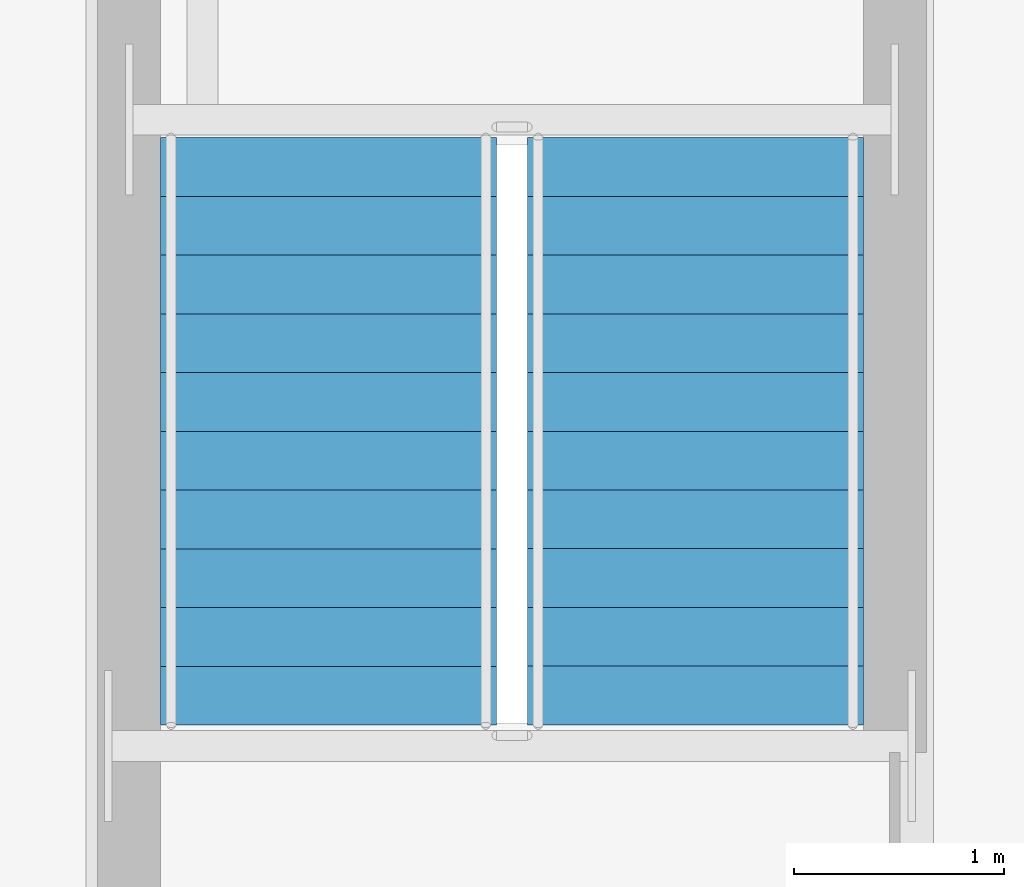
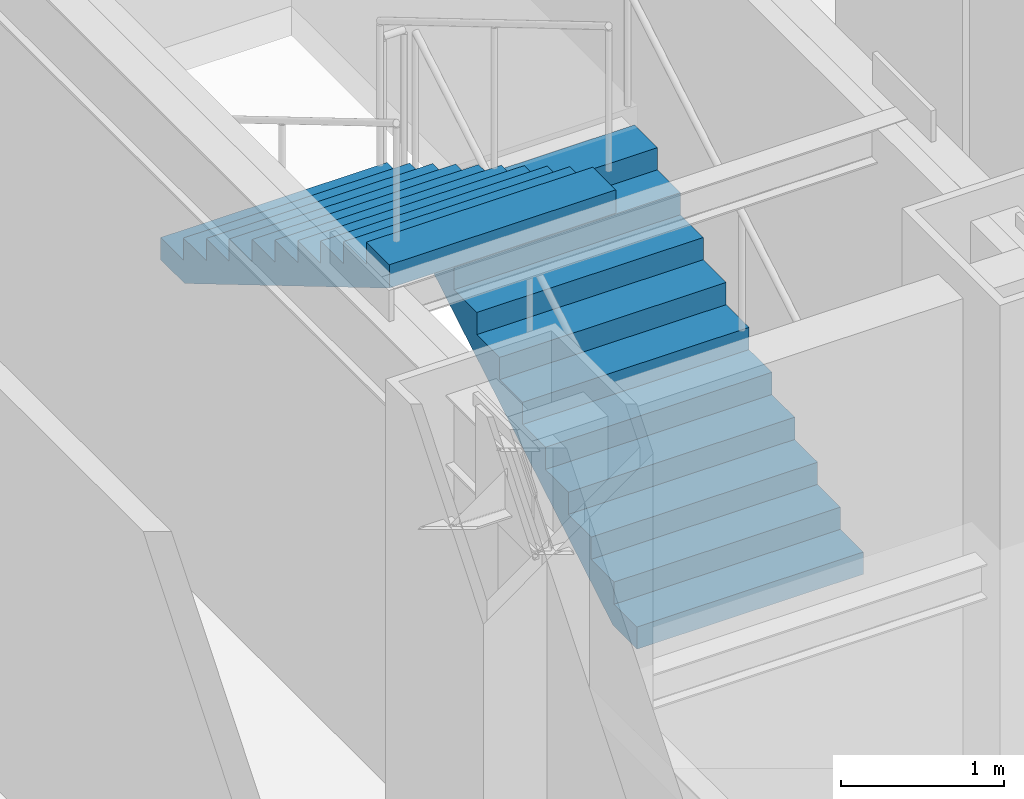
# One storey, part 11 of 12: 2 stair flights, 1 element without a shape of its own.
"""IFC4 building model written with IfcOpenShell, lengths in metres."""

from ifc_helpers import new_model, si_unit, direction, frame, origin, place, context, subcontext, project, spatial, polyline, outline, extrude, material, type_object, element, aggregate, save


model = new_model("IFC4")

# Units and contexts
model_context = context("Model", 3, precision=1e-05, world=origin(), true_north=direction((0.0, 1.0)))
body_context = subcontext(model_context, "Body", "Model", "MODEL_VIEW")
ifc_project = project(units=[si_unit("LENGTHUNIT", "METRE"), si_unit("AREAUNIT", "SQUARE_METRE"), si_unit("VOLUMEUNIT", "CUBIC_METRE"), si_unit("PLANEANGLEUNIT", "RADIAN"), si_unit("MASSUNIT", "GRAM", prefix="KILO")], contexts=[model_context])

# Site, building, storey
site_placement = place(None, origin())
site = spatial("IfcSite", under=ifc_project, at=site_placement, CompositionType="ELEMENT")
building_placement = place(site_placement, origin())
building = spatial("IfcBuilding", under=site, at=building_placement, Name="Khamvora Tower", CompositionType="ELEMENT")
storey_placement = place(building_placement, frame((0.0, 0.0, 138.39990234375)))
storey = spatial("IfcBuildingStorey", under=building, at=storey_placement, Name="L35", CompositionType="ELEMENT", Elevation=138.39990234375)

# Stair, stair flights
ifc_material = material(Name="Concrete C40/50", Category="concrete")
stair_type = type_object("IfcStairType", Name="STR-ST-02", PredefinedType="HALF_TURN_STAIR", material=ifc_material)
stair_placement = place(storey_placement, origin())
stair = element("IfcStair", 1, at=stair_placement, inside=storey, type_object=stair_type, Name="L35 North Tower Exit Stair ST-02", PredefinedType="HALF_TURN_STAIR")
stair_flight_type = type_object("IfcStairFlightType", Name="STF-ST-02", PredefinedType="STRAIGHT", material=ifc_material)
stair_flight_1_placement = place(storey_placement, frame((31.699951171875, 29.85009765625, 0.0), z_axis=(0.0, 0.0, 1.0), x_axis=(0.0, 1.0, 0.0)))
stair_flight_1 = element("IfcStairFlight", 2, at=stair_flight_1_placement, type_object=stair_flight_type, Name="ST-02 flight 1", NumberOfRisers=11, NumberOfTreads=10, PredefinedType="STRAIGHT", RiserHeight=0.165909091, TreadLength=0.28, context=body_context, shape_type="SweptSolid", body=[
    extrude(outline(polyline([(0.0, 0.0), (0.0, 0.166015625), (0.280029296875, 0.166015625), (0.280029296875, 0.331787109375), (0.56005859375, 0.331787109375), (0.56005859375, 0.497802734375), (0.840087890625, 0.497802734375), (0.840087890625, 0.66357421875), (1.1201171875, 0.66357421875), (1.1201171875, 0.82958984375), (1.39990234375, 0.82958984375), (1.39990234375, 0.995361328125), (1.679931640625, 0.995361328125), (1.679931640625, 1.161376953125), (1.9599609375, 1.161376953125), (1.9599609375, 1.327392578125), (2.239990234375, 1.327392578125), (2.239990234375, 1.4931640625), (2.52001953125, 1.4931640625), (2.52001953125, 1.6591796875), (2.800048828125, 1.6591796875), (2.800048828125, 1.824951171875), (2.800048828125, 1.48486328125), (0.2939453125, 0.0), (0.0, 0.0)])), frame((0.0, 0.800048828125, 0.0), z_axis=(0.0, -1.0, 0.0), x_axis=(1.0, 0.0, 0.0)), (0.0, 0.0, 1.0), 1.60009765625),
])
stair_flight_2_placement = place(storey_placement, frame((29.949951171875, 32.64990234375, 1.8251953125), z_axis=(0.0, 0.0, 1.0), x_axis=(0.0, -1.0, 0.0)))
stair_flight_2 = element("IfcStairFlight", 3, at=stair_flight_2_placement, type_object=stair_flight_type, Name="ST-02 flight 2", NumberOfRisers=11, NumberOfTreads=10, PredefinedType="STRAIGHT", RiserHeight=0.165909091, TreadLength=0.28, context=body_context, shape_type="SweptSolid", body=[
    extrude(outline(polyline([(0.0, 0.0), (0.0, 0.166015625), (0.280029296875, 0.166015625), (0.280029296875, 0.331787109375), (0.56005859375, 0.331787109375), (0.56005859375, 0.497802734375), (0.840087890625, 0.497802734375), (0.840087890625, 0.66357421875), (1.1201171875, 0.66357421875), (1.1201171875, 0.82958984375), (1.39990234375, 0.82958984375), (1.39990234375, 0.995361328125), (1.679931640625, 0.995361328125), (1.679931640625, 1.161376953125), (1.9599609375, 1.161376953125), (1.9599609375, 1.327392578125), (2.239990234375, 1.327392578125), (2.239990234375, 1.4931640625), (2.52001953125, 1.4931640625), (2.52001953125, 1.6591796875), (2.800048828125, 1.6591796875), (2.800048828125, 1.824951171875), (2.800048828125, 1.48486328125), (0.2939453125, 0.0), (0.0, 0.0)])), frame((0.0, 0.800048828125, 0.0), z_axis=(0.0, -1.0, 0.0), x_axis=(1.0, 0.0, 0.0)), (0.0, 0.0, 1.0), 1.60009765625),
])
aggregate(stair, [stair_flight_1, stair_flight_2])

save(model, "model.ifc")
